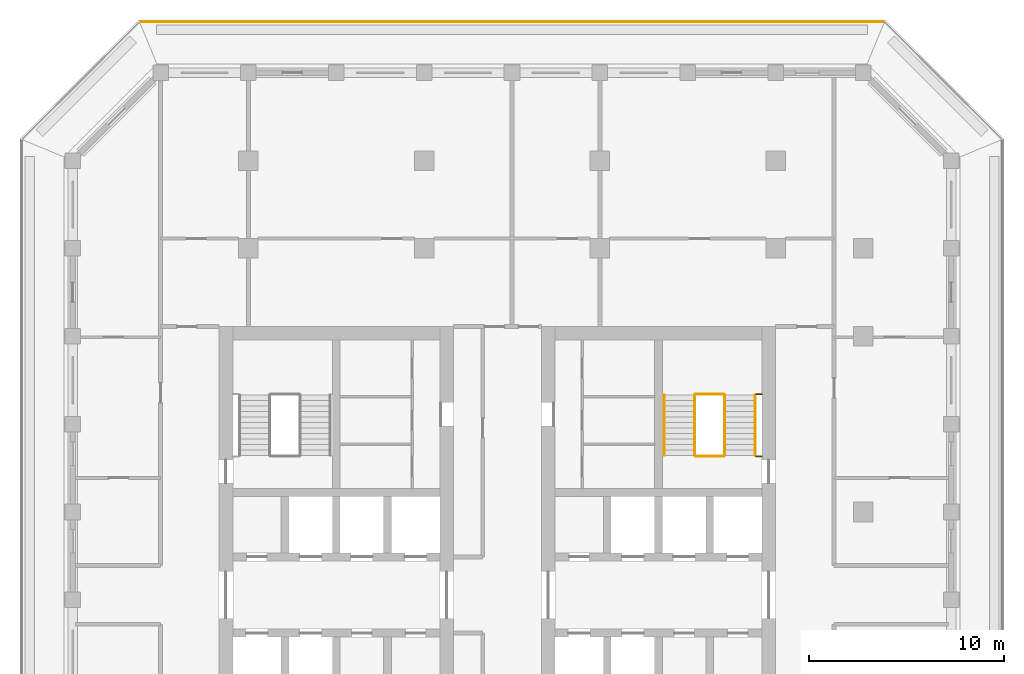
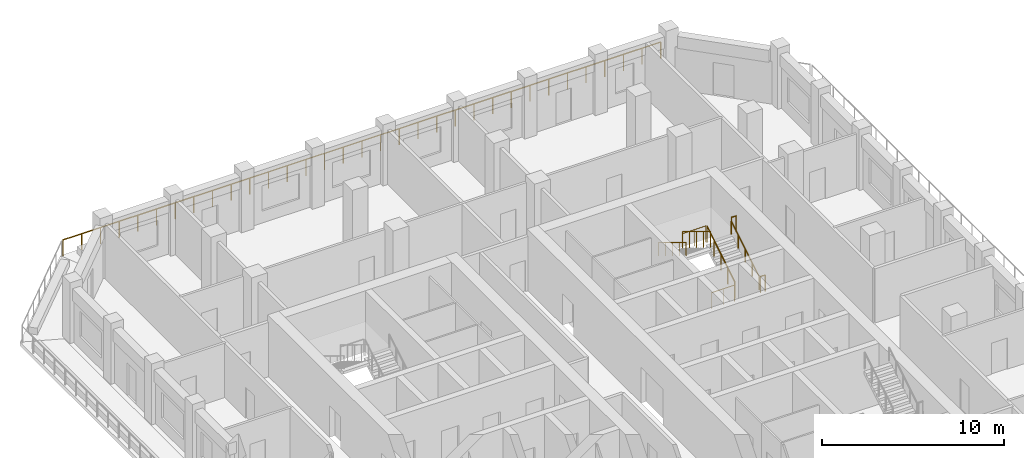
# One storey, part 15 of 17: 9 railings.
"""IFC4 building model written with IfcOpenShell, lengths in metres."""

from ifc_helpers import new_model, si_unit, direction, frame, origin, origin_2d, place, context, subcontext, project, spatial, circle, extrude, material, type_object, element, save


model = new_model("IFC4")

# Units and contexts
model_context = context("Model", 3, precision=1e-05, world=origin(), true_north=direction((0.0, 1.0)))
body_context = subcontext(model_context, "Body", "Model", "MODEL_VIEW")
ifc_project = project(units=[si_unit("LENGTHUNIT", "METRE"), si_unit("AREAUNIT", "SQUARE_METRE"), si_unit("VOLUMEUNIT", "CUBIC_METRE"), si_unit("PLANEANGLEUNIT", "RADIAN"), si_unit("MASSUNIT", "GRAM", prefix="KILO")], contexts=[model_context])

# Site, building, storey
site_placement = place(None, origin())
site = spatial("IfcSite", under=ifc_project, at=site_placement, CompositionType="ELEMENT")
building_placement = place(site_placement, origin())
building = spatial("IfcBuilding", under=site, at=building_placement, Name="Corbel Stack Research Tower", CompositionType="ELEMENT")
storey_placement = place(building_placement, frame((0.0, 0.0, 252.10009765625)))
storey = spatial("IfcBuildingStorey", under=building, at=storey_placement, Name="L57", CompositionType="ELEMENT", Elevation=252.10009765625)

# Railings
ifc_material_1 = material(Name="Steel S355", Category="steel")
railing_type_1 = type_object("IfcRailingType", Name="Stair guard 1100", PredefinedType="GUARDRAIL", material=ifc_material_1)
railing_1_placement = place(storey_placement, frame((15.39990234375, 11.89990234375, 0.170654296875)))
element("IfcRailing", 1, at=railing_1_placement, inside=storey, type_object=railing_type_1, Name="L57 ST-E2 stair guard 1", PredefinedType="GUARDRAIL", context=body_context, shape_type="SweptSolid", body=[
    extrude(circle(Radius=0.02392578125, at=origin_2d()), frame((0.0, 0.0, 1.076171875), z_axis=(0.0, 0.853666305674, 0.52082035152), x_axis=(-1.0, 0.0, 0.0)), (0.0, 0.0, 1.0), 3.608154296875),
    extrude(circle(Radius=0.02099609375, at=origin_2d()), origin(), (0.0, 0.0, 1.0), 1.052001953125),
    extrude(circle(Radius=0.02099609375, at=origin_2d()), frame((0.0, 0.77001953125, 0.4697265625)), (0.0, 0.0, 1.0), 1.052001953125),
    extrude(circle(Radius=0.02099609375, at=origin_2d()), frame((0.0, 1.5400390625, 0.939453125)), (0.0, 0.0, 1.0), 1.052001953125),
    extrude(circle(Radius=0.02099609375, at=origin_2d()), frame((0.0, 2.31005859375, 1.409423828125)), (0.0, 0.0, 1.0), 1.052001953125),
    extrude(circle(Radius=0.02099609375, at=origin_2d()), frame((0.0, 3.080078125, 1.879150390625)), (0.0, 0.0, 1.0), 1.052001953125),
])
railing_2_placement = place(storey_placement, frame((15.35009765625, 15.030029296875, 2.0498046875)))
element("IfcRailing", 2, at=railing_2_placement, inside=storey, type_object=railing_type_1, Name="L57 ST-E2 stair guard 2", PredefinedType="GUARDRAIL", context=body_context, shape_type="SweptSolid", body=[
    extrude(circle(Radius=0.02392578125, at=origin_2d()), frame((0.0, 0.0, 1.076171875), z_axis=(-1.0, 0.0, 0.0), x_axis=(0.0, -1.0, 0.0)), (0.0, 0.0, 1.0), 1.4501953125),
    extrude(circle(Radius=0.02099609375, at=origin_2d()), origin(), (0.0, 0.0, 1.0), 1.052001953125),
    extrude(circle(Radius=0.02099609375, at=origin_2d()), frame((-0.72509765625, 0.0, 0.0)), (0.0, 0.0, 1.0), 1.052001953125),
    extrude(circle(Radius=0.02099609375, at=origin_2d()), frame((-1.4501953125, 0.0, 0.0)), (0.0, 0.0, 1.0), 1.052001953125),
])
railing_3_placement = place(storey_placement, frame((17.300048828125, 15.030029296875, 2.0498046875)))
element("IfcRailing", 3, at=railing_3_placement, inside=storey, type_object=railing_type_1, Name="L57 ST-E2 stair guard 3", PredefinedType="GUARDRAIL", context=body_context, shape_type="SweptSolid", body=[
    extrude(circle(Radius=0.02392578125, at=origin_2d()), frame((0.0, 0.0, 1.076171875), z_axis=(-1.0, 0.0, 0.0), x_axis=(0.0, -1.0, 0.0)), (0.0, 0.0, 1.0), 0.300048828125),
    extrude(circle(Radius=0.02099609375, at=origin_2d()), origin(), (0.0, 0.0, 1.0), 1.052001953125),
    extrude(circle(Radius=0.02099609375, at=origin_2d()), frame((-0.300048828125, 0.0, 0.0)), (0.0, 0.0, 1.0), 1.052001953125),
])
railing_4_placement = place(storey_placement, frame((13.85009765625, 14.97998046875, 2.220703125)))
element("IfcRailing", 4, at=railing_4_placement, inside=storey, type_object=railing_type_1, Name="L57 ST-E2 stair guard 4", PredefinedType="GUARDRAIL", context=body_context, shape_type="SweptSolid", body=[
    extrude(circle(Radius=0.02392578125, at=origin_2d()), frame((0.0, 0.0, 1.076171875), z_axis=(0.0, -0.853666305674, 0.52082035152), x_axis=(1.0, 0.0, 0.0)), (0.0, 0.0, 1.0), 3.608154296875),
    extrude(circle(Radius=0.02099609375, at=origin_2d()), origin(), (0.0, 0.0, 1.0), 1.052001953125),
    extrude(circle(Radius=0.02099609375, at=origin_2d()), frame((0.0, -0.77001953125, 0.4697265625)), (0.0, 0.0, 1.0), 1.052001953125),
    extrude(circle(Radius=0.02099609375, at=origin_2d()), frame((0.0, -1.5400390625, 0.939453125)), (0.0, 0.0, 1.0), 1.052001953125),
    extrude(circle(Radius=0.02099609375, at=origin_2d()), frame((0.0, -2.31005859375, 1.409423828125)), (0.0, 0.0, 1.0), 1.052001953125),
    extrude(circle(Radius=0.02099609375, at=origin_2d()), frame((0.0, -3.080078125, 1.879150390625)), (0.0, 0.0, 1.0), 1.052001953125),
])
railing_5_placement = place(storey_placement, frame((15.35009765625, 11.85009765625, 0.0)))
element("IfcRailing", 5, at=railing_5_placement, inside=storey, type_object=railing_type_1, Name="L57 ST-E2 stair guard 5", PredefinedType="GUARDRAIL", context=body_context, shape_type="SweptSolid", body=[
    extrude(circle(Radius=0.02392578125, at=origin_2d()), frame((0.0, 0.0, 1.076171875), z_axis=(-1.0, 0.0, 0.0), x_axis=(0.0, -1.0, 0.0)), (0.0, 0.0, 1.0), 1.4501953125),
    extrude(circle(Radius=0.02099609375, at=origin_2d()), origin(), (0.0, 0.0, 1.0), 1.052001953125),
    extrude(circle(Radius=0.02099609375, at=origin_2d()), frame((-0.72509765625, 0.0, 0.0)), (0.0, 0.0, 1.0), 1.052001953125),
    extrude(circle(Radius=0.02099609375, at=origin_2d()), frame((-1.4501953125, 0.0, 0.0)), (0.0, 0.0, 1.0), 1.052001953125),
])
railing_6_placement = place(storey_placement, frame((17.300048828125, 11.85009765625, 0.0)))
element("IfcRailing", 6, at=railing_6_placement, inside=storey, type_object=railing_type_1, Name="L57 ST-E2 stair guard 6", PredefinedType="GUARDRAIL", context=body_context, shape_type="SweptSolid", body=[
    extrude(circle(Radius=0.02392578125, at=origin_2d()), frame((0.0, 0.0, 1.076171875), z_axis=(-1.0, 0.0, 0.0), x_axis=(0.0, -1.0, 0.0)), (0.0, 0.0, 1.0), 0.300048828125),
    extrude(circle(Radius=0.02099609375, at=origin_2d()), origin(), (0.0, 0.0, 1.0), 1.052001953125),
    extrude(circle(Radius=0.02099609375, at=origin_2d()), frame((-0.300048828125, 0.0, 0.0)), (0.0, 0.0, 1.0), 1.052001953125),
])
ifc_material_2 = material(Name="Steel S355", Category="steel")
railing_type_2 = type_object("IfcRailingType", Name="Stair handrail 900", PredefinedType="HANDRAIL", material=ifc_material_2)
railing_7_placement = place(storey_placement, frame((16.949951171875, 11.89990234375, 0.170654296875)))
element("IfcRailing", 7, at=railing_7_placement, inside=storey, type_object=railing_type_2, Name="L57 ST-E2 stair handrail 1", PredefinedType="HANDRAIL", context=body_context, shape_type="SweptSolid", body=[
    extrude(circle(Radius=0.02392578125, at=origin_2d()), frame((0.0, 0.0, 0.8759765625), z_axis=(0.0, 0.853666305674, 0.52082035152), x_axis=(-1.0, 0.0, 0.0)), (0.0, 0.0, 1.0), 3.608154296875),
    extrude(circle(Radius=0.02099609375, at=origin_2d()), origin(), (0.0, 0.0, 1.0), 0.851806640625),
    extrude(circle(Radius=0.02099609375, at=origin_2d()), frame((0.0, 0.77001953125, 0.4697265625)), (0.0, 0.0, 1.0), 0.851806640625),
    extrude(circle(Radius=0.02099609375, at=origin_2d()), frame((0.0, 1.5400390625, 0.939453125)), (0.0, 0.0, 1.0), 0.851806640625),
    extrude(circle(Radius=0.02099609375, at=origin_2d()), frame((0.0, 2.31005859375, 1.409423828125)), (0.0, 0.0, 1.0), 0.851806640625),
    extrude(circle(Radius=0.02099609375, at=origin_2d()), frame((0.0, 3.080078125, 1.879150390625)), (0.0, 0.0, 1.0), 0.851806640625),
])
railing_8_placement = place(storey_placement, frame((12.300048828125, 14.97998046875, 2.220703125)))
element("IfcRailing", 8, at=railing_8_placement, inside=storey, type_object=railing_type_2, Name="L57 ST-E2 stair handrail 2", PredefinedType="HANDRAIL", context=body_context, shape_type="SweptSolid", body=[
    extrude(circle(Radius=0.02392578125, at=origin_2d()), frame((0.0, 0.0, 0.8759765625), z_axis=(0.0, -0.853666305674, 0.52082035152), x_axis=(1.0, 0.0, 0.0)), (0.0, 0.0, 1.0), 3.608154296875),
    extrude(circle(Radius=0.02099609375, at=origin_2d()), origin(), (0.0, 0.0, 1.0), 0.851806640625),
    extrude(circle(Radius=0.02099609375, at=origin_2d()), frame((0.0, -0.77001953125, 0.4697265625)), (0.0, 0.0, 1.0), 0.851806640625),
    extrude(circle(Radius=0.02099609375, at=origin_2d()), frame((0.0, -1.5400390625, 0.939453125)), (0.0, 0.0, 1.0), 0.851806640625),
    extrude(circle(Radius=0.02099609375, at=origin_2d()), frame((0.0, -2.31005859375, 1.409423828125)), (0.0, 0.0, 1.0), 0.851806640625),
    extrude(circle(Radius=0.02099609375, at=origin_2d()), frame((0.0, -3.080078125, 1.879150390625)), (0.0, 0.0, 1.0), 0.851806640625),
])
ifc_material_3 = material(Name="Powder-coated steel guard", Category="steel")
railing_type_3 = type_object("IfcRailingType", Name="Steel and glass guard 1100", PredefinedType="GUARDRAIL", material=ifc_material_3)
railing_9_placement = place(storey_placement, frame((23.50537109375, 34.10009765625, 0.0)))
element("IfcRailing", 9, at=railing_9_placement, inside=storey, type_object=railing_type_3, Name="Loggia guard L57 N", PredefinedType="GUARDRAIL", context=body_context, shape_type="SweptSolid", body=[
    extrude(circle(Radius=0.02392578125, at=origin_2d()), frame((0.0, 0.0, 1.076171875), z_axis=(-1.0, 0.0, 0.0), x_axis=(0.0, -1.0, 0.0)), (0.0, 0.0, 1.0), 38.0107421875),
    extrude(circle(Radius=0.02099609375, at=origin_2d()), origin(), (0.0, 0.0, 1.0), 1.052001953125),
    extrude(circle(Radius=0.02099609375, at=origin_2d()), frame((-1.187744140625, 0.0, 0.0)), (0.0, 0.0, 1.0), 1.052001953125),
    extrude(circle(Radius=0.02099609375, at=origin_2d()), frame((-2.375732421875, 0.0, 0.0)), (0.0, 0.0, 1.0), 1.052001953125),
    extrude(circle(Radius=0.02099609375, at=origin_2d()), frame((-3.5634765625, 0.0, 0.0)), (0.0, 0.0, 1.0), 1.052001953125),
    extrude(circle(Radius=0.02099609375, at=origin_2d()), frame((-4.75146484375, 0.0, 0.0)), (0.0, 0.0, 1.0), 1.052001953125),
    extrude(circle(Radius=0.02099609375, at=origin_2d()), frame((-5.939208984375, 0.0, 0.0)), (0.0, 0.0, 1.0), 1.052001953125),
    extrude(circle(Radius=0.02099609375, at=origin_2d()), frame((-7.126953125, 0.0, 0.0)), (0.0, 0.0, 1.0), 1.052001953125),
    extrude(circle(Radius=0.02099609375, at=origin_2d()), frame((-8.31494140625, 0.0, 0.0)), (0.0, 0.0, 1.0), 1.052001953125),
    extrude(circle(Radius=0.02099609375, at=origin_2d()), frame((-9.502685546875, 0.0, 0.0)), (0.0, 0.0, 1.0), 1.052001953125),
    extrude(circle(Radius=0.02099609375, at=origin_2d()), frame((-10.6904296875, 0.0, 0.0)), (0.0, 0.0, 1.0), 1.052001953125),
    extrude(circle(Radius=0.02099609375, at=origin_2d()), frame((-11.87841796875, 0.0, 0.0)), (0.0, 0.0, 1.0), 1.052001953125),
    extrude(circle(Radius=0.02099609375, at=origin_2d()), frame((-13.066162109375, 0.0, 0.0)), (0.0, 0.0, 1.0), 1.052001953125),
    extrude(circle(Radius=0.02099609375, at=origin_2d()), frame((-14.25390625, 0.0, 0.0)), (0.0, 0.0, 1.0), 1.052001953125),
    extrude(circle(Radius=0.02099609375, at=origin_2d()), frame((-15.44189453125, 0.0, 0.0)), (0.0, 0.0, 1.0), 1.052001953125),
    extrude(circle(Radius=0.02099609375, at=origin_2d()), frame((-16.629638671875, 0.0, 0.0)), (0.0, 0.0, 1.0), 1.052001953125),
    extrude(circle(Radius=0.02099609375, at=origin_2d()), frame((-17.817626953125, 0.0, 0.0)), (0.0, 0.0, 1.0), 1.052001953125),
    extrude(circle(Radius=0.02099609375, at=origin_2d()), frame((-19.00537109375, 0.0, 0.0)), (0.0, 0.0, 1.0), 1.052001953125),
    extrude(circle(Radius=0.02099609375, at=origin_2d()), frame((-20.193115234375, 0.0, 0.0)), (0.0, 0.0, 1.0), 1.052001953125),
    extrude(circle(Radius=0.02099609375, at=origin_2d()), frame((-21.381103515625, 0.0, 0.0)), (0.0, 0.0, 1.0), 1.052001953125),
    extrude(circle(Radius=0.02099609375, at=origin_2d()), frame((-22.56884765625, 0.0, 0.0)), (0.0, 0.0, 1.0), 1.052001953125),
    extrude(circle(Radius=0.02099609375, at=origin_2d()), frame((-23.7568359375, 0.0, 0.0)), (0.0, 0.0, 1.0), 1.052001953125),
    extrude(circle(Radius=0.02099609375, at=origin_2d()), frame((-24.944580078125, 0.0, 0.0)), (0.0, 0.0, 1.0), 1.052001953125),
    extrude(circle(Radius=0.02099609375, at=origin_2d()), frame((-26.13232421875, 0.0, 0.0)), (0.0, 0.0, 1.0), 1.052001953125),
    extrude(circle(Radius=0.02099609375, at=origin_2d()), frame((-27.3203125, 0.0, 0.0)), (0.0, 0.0, 1.0), 1.052001953125),
    extrude(circle(Radius=0.02099609375, at=origin_2d()), frame((-28.508056640625, 0.0, 0.0)), (0.0, 0.0, 1.0), 1.052001953125),
    extrude(circle(Radius=0.02099609375, at=origin_2d()), frame((-29.69580078125, 0.0, 0.0)), (0.0, 0.0, 1.0), 1.052001953125),
    extrude(circle(Radius=0.02099609375, at=origin_2d()), frame((-30.8837890625, 0.0, 0.0)), (0.0, 0.0, 1.0), 1.052001953125),
    extrude(circle(Radius=0.02099609375, at=origin_2d()), frame((-32.071533203125, 0.0, 0.0)), (0.0, 0.0, 1.0), 1.052001953125),
    extrude(circle(Radius=0.02099609375, at=origin_2d()), frame((-33.25927734375, 0.0, 0.0)), (0.0, 0.0, 1.0), 1.052001953125),
    extrude(circle(Radius=0.02099609375, at=origin_2d()), frame((-34.447265625, 0.0, 0.0)), (0.0, 0.0, 1.0), 1.052001953125),
    extrude(circle(Radius=0.02099609375, at=origin_2d()), frame((-35.635009765625, 0.0, 0.0)), (0.0, 0.0, 1.0), 1.052001953125),
    extrude(circle(Radius=0.02099609375, at=origin_2d()), frame((-36.822998046875, 0.0, 0.0)), (0.0, 0.0, 1.0), 1.052001953125),
    extrude(circle(Radius=0.02099609375, at=origin_2d()), frame((-38.0107421875, 0.0, 0.0)), (0.0, 0.0, 1.0), 1.052001953125),
])

save(model, "model.ifc")
